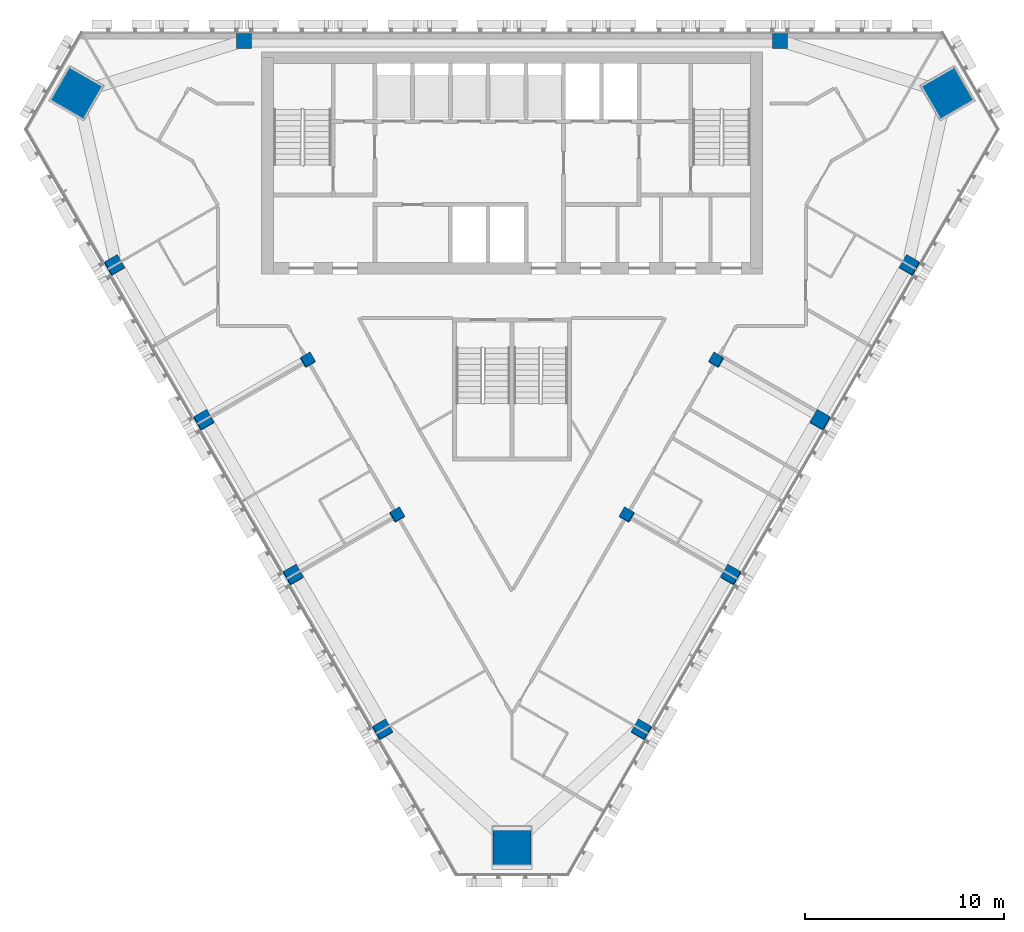
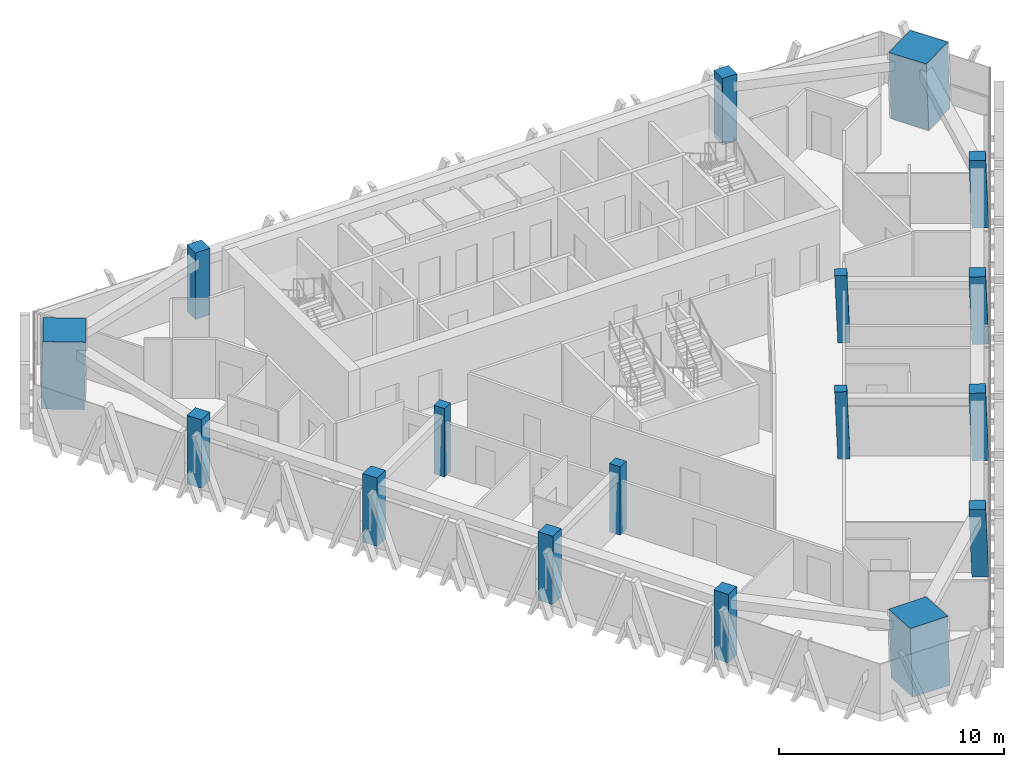
# One storey, part 1 of 14: 17 columns.
"""IFC4 building model written with IfcOpenShell, lengths in metres."""

import ifcopenshell
import ifcopenshell.guid

model = None  # the IFC model being written
_history = None  # IfcOwnerHistory: only IFC2X3 demands one
_inside = {}  # id of a spatial element -> (the spatial element, [elements in it])
_under = {}  # id of a project, library or spatial element -> (it, [spatial elements below it])
_declared = {}  # id of a project -> (the project, [libraries it declares])
_typed = {}  # id of a type object -> (the type object, [elements of that type])
_made_of = {}  # id of a material, layer set ... -> (it, [elements and type objects made of it])


def new_model(schema):
    """Start an empty IFC model of exactly this schema.

    Asked for "IFC4X3", IfcOpenShell would pick the latest addendum, in which some entities
    have other attributes; the version numbers below select the first issue.
    IFC2X3 requires an IfcOwnerHistory on every rooted entity: one is made here for all.
    """
    global model, _history
    if schema == "IFC4X3":
        model = ifcopenshell.file(schema_version=(4, 3, 0, 0))
    else:
        model = ifcopenshell.file(schema=schema)
    _inside.clear()
    _under.clear()
    _declared.clear()
    _typed.clear()
    _made_of.clear()
    _history = None
    if model.schema == "IFC2X3":
        org = make("IfcOrganization", Name="unknown")
        user = make(
            "IfcPersonAndOrganization",
            ThePerson=make("IfcPerson", FamilyName="unknown"),
            TheOrganization=org,
        )
        app = make(
            "IfcApplication",
            ApplicationDeveloper=org,
            Version="unknown",
            ApplicationFullName="unknown",
            ApplicationIdentifier="unknown",
        )
        _history = make(
            "IfcOwnerHistory",
            OwningUser=user,
            OwningApplication=app,
            ChangeAction="ADDED",
            CreationDate=0,
        )
    return model


def make(cls, **values):
    """One entity of the class cls with the attributes given. An attribute that is None is left unset."""
    return model.create_entity(
        cls, **{name: value for name, value in values.items() if value is not None}
    )


def rooted(cls, **values):
    """An entity with a GlobalId (a new one), such as an element, a storey or a relation."""
    return make(cls, GlobalId=ifcopenshell.guid.new(), OwnerHistory=_history, **values)


def si_unit(unit_type, name, prefix=None):
    """IfcSIUnit, for example si_unit("LENGTHUNIT", "METRE", prefix="MILLI")."""
    return make("IfcSIUnit", UnitType=unit_type, Prefix=prefix, Name=name)


def assignment(units):
    """IfcUnitAssignment: the units of a project."""
    return None if units is None else make("IfcUnitAssignment", Units=units)


def point(xyz):
    """IfcCartesianPoint."""
    return None if xyz is None else make("IfcCartesianPoint", Coordinates=xyz)


def direction(xyz):
    """IfcDirection."""
    return None if xyz is None else make("IfcDirection", DirectionRatios=xyz)


def frame(location, z_axis=None, x_axis=None):
    """IfcAxis2Placement3D, a coordinate frame: its origin and axes. An axis left out is left unset."""
    return make(
        "IfcAxis2Placement3D",
        Location=point(location),
        Axis=direction(z_axis),
        RefDirection=direction(x_axis),
    )


def frame_2d(location, x_axis=None):
    """IfcAxis2Placement2D, a coordinate frame in the plane: its origin and x axis."""
    return make(
        "IfcAxis2Placement2D", Location=point(location), RefDirection=direction(x_axis)
    )


def origin():
    """The frame at (0, 0, 0) with its axes left unset."""
    return frame((0.0, 0.0, 0.0))


def origin_2d():
    """The frame at (0, 0) in the plane with its x axis left unset."""
    return frame_2d((0.0, 0.0))


def place(relative_to, where):
    """IfcLocalPlacement: puts the frame where relative to a parent placement (None: the world)."""
    return make(
        "IfcLocalPlacement", PlacementRelTo=relative_to, RelativePlacement=where
    )


def context(
    kind, dimensions, precision=None, world=None, true_north=None, identifier=None
):
    """IfcGeometricRepresentationContext, for example the 3D "Model" context."""
    return make(
        "IfcGeometricRepresentationContext",
        ContextIdentifier=identifier,
        ContextType=kind,
        CoordinateSpaceDimension=dimensions,
        Precision=precision,
        WorldCoordinateSystem=world,
        TrueNorth=true_north,
    )


def subcontext(parent, identifier, kind, view, scale=None):
    """IfcGeometricRepresentationSubContext, for example "Body" below "Model"."""
    return make(
        "IfcGeometricRepresentationSubContext",
        ContextIdentifier=identifier,
        ContextType=kind,
        ParentContext=parent,
        TargetScale=scale,
        TargetView=view,
    )


def project(units=None, contexts=None):
    """IfcProject with its units and contexts."""
    return rooted(
        "IfcProject",
        Name="project",
        RepresentationContexts=contexts,
        UnitsInContext=assignment(units),
    )


def spatial(cls, under=None, at=None, **own):
    """A site, building, storey or space (cls), placed at a placement, below another one or the project."""
    s = rooted(cls, ObjectPlacement=at, **own)
    if under is not None:
        _under.setdefault(under.id(), (under, []))[1].append(s)
    return s


def profile(cls, at=None, kind="AREA", **sizes):
    """A parametric profile (cls). Its sizes go by their IFC names, for example OverallWidth=200.0."""
    return make(cls, ProfileType=kind, Position=at, **sizes)


def rectangle(**sizes):
    """IfcRectangleProfileDef."""
    return profile("IfcRectangleProfileDef", **sizes)


def extrude(swept, where, along, depth):
    """IfcExtrudedAreaSolid: the profile swept, set in the frame where, extruded along a direction by depth."""
    return make(
        "IfcExtrudedAreaSolid",
        SweptArea=swept,
        Position=where,
        ExtrudedDirection=direction(along),
        Depth=depth,
    )


def shape(context_of_items, identifier, shape_type, items):
    """IfcShapeRepresentation: the items that make up one representation, for example the "Body"."""
    return make(
        "IfcShapeRepresentation",
        ContextOfItems=context_of_items,
        RepresentationIdentifier=identifier,
        RepresentationType=shape_type,
        Items=items,
    )


def material(Name=None, Category=None):
    """IfcMaterial."""
    return make("IfcMaterial", Name=Name, Category=Category)


def material_profile(
    of_material, cross_section, Name=None, Category=None, Priority=None
):
    """IfcMaterialProfile: a cross section and its material."""
    return make(
        "IfcMaterialProfile",
        Name=Name,
        Material=of_material,
        Profile=cross_section,
        Priority=Priority,
        Category=Category,
    )


def profile_set(profiles, Name=None, composite=None):
    """IfcMaterialProfileSet."""
    return make(
        "IfcMaterialProfileSet",
        Name=Name,
        MaterialProfiles=profiles,
        CompositeProfile=composite,
    )


def made_of(thing, what):
    """Note that an element or type object is made of a material, layer set ...; save() writes the relation."""
    if what is not None:
        _made_of.setdefault(what.id(), (what, []))[1].append(thing)
    return thing


def type_object(cls, material=None, **own):
    """A type object (cls), such as IfcWallType, which elements share."""
    return made_of(rooted(cls, **own), material)


def element(
    cls,
    number,
    at=None,
    inside=None,
    cuts=None,
    type_object=None,
    material=None,
    context=None,
    identifier="Body",
    shape_type=None,
    held_by="IfcProductDefinitionShape",
    body=None,
    shapes=None,
    **own,
):
    """One element of the class cls, such as IfcWall. Its Tag is "e" and its number.

    at: its placement. inside: the storey or other place that contains it. cuts: it is an
    opening in that element (IfcRelVoidsElement). A single representation is given by context,
    identifier, shape_type and body (its items); several are given by shapes. held_by: the class
    of the entity that holds the representations. save() writes the other relations.
    """
    e = rooted(cls, Tag="e%d" % number, ObjectPlacement=at, **own)
    if body is not None:
        shapes = [shape(context, identifier, shape_type, body)]
    if shapes is not None:
        e.Representation = make(held_by, Representations=shapes)
    if inside is not None:
        _inside.setdefault(inside.id(), (inside, []))[1].append(e)
    if cuts is not None:
        rooted(
            "IfcRelVoidsElement", RelatingBuildingElement=cuts, RelatedOpeningElement=e
        )
    if type_object is not None:
        _typed.setdefault(type_object.id(), (type_object, []))[1].append(e)
    return made_of(e, material)


def aggregate(whole, parts):
    """IfcRelAggregates: a whole, such as a stair, and the parts it consists of."""
    return rooted("IfcRelAggregates", RelatingObject=whole, RelatedObjects=parts)


def save(model, path):
    """Write the relations noted so far, then the file.

    IfcRelAggregates (storeys below a building ...), IfcRelContainedInSpatialStructure (elements
    in a storey), IfcRelDefinesByType, IfcRelAssociatesMaterial and IfcRelDeclares: one each for
    every whole, place, type object, material and project.
    """
    for whole, parts in _under.values():
        aggregate(whole, parts)
    for where, things in _inside.values():
        rooted(
            "IfcRelContainedInSpatialStructure",
            RelatedElements=things,
            RelatingStructure=where,
        )
    for kind, things in _typed.values():
        rooted("IfcRelDefinesByType", RelatedObjects=things, RelatingType=kind)
    for what, things in _made_of.values():
        rooted("IfcRelAssociatesMaterial", RelatedObjects=things, RelatingMaterial=what)
    for by, libraries in _declared.values():
        rooted("IfcRelDeclares", RelatingContext=by, RelatedDefinitions=libraries)
    model.write(path)


model = new_model("IFC4")

# Units and contexts
model_context = context("Model", 3, precision=1e-05, world=origin(), true_north=direction((0.0, 1.0)))
body_context = subcontext(model_context, "Body", "Model", "MODEL_VIEW")
ifc_project = project(units=[si_unit("LENGTHUNIT", "METRE"), si_unit("AREAUNIT", "SQUARE_METRE"), si_unit("VOLUMEUNIT", "CUBIC_METRE"), si_unit("PLANEANGLEUNIT", "RADIAN"), si_unit("MASSUNIT", "GRAM", prefix="KILO")], contexts=[model_context])

# Site, building, storey
site_placement = place(None, origin())
site = spatial("IfcSite", under=ifc_project, at=site_placement, CompositionType="ELEMENT")
building_placement = place(site_placement, origin())
building = spatial("IfcBuilding", under=site, at=building_placement, Name="Altiplano Prism Tower", CompositionType="ELEMENT")
storey_placement = place(building_placement, frame((0.0, 0.0, 230.199951171875)))
storey = spatial("IfcBuildingStorey", under=building, at=storey_placement, Name="L59", CompositionType="ELEMENT", Elevation=230.199951171875)

# Columns
ifc_material_1 = material(Name="Concrete C60/75", Category="concrete")
ifc_material_profile_1 = material_profile(ifc_material_1, rectangle(XDim=0.550048828125, YDim=0.550048828125, at=origin_2d()), Name="Inner column 550")
ifc_profile_set_1 = profile_set([ifc_material_profile_1], Name="Concrete C60/75")
column_type_1 = type_object("IfcColumnType", Name="Inner column 550", PredefinedType="COLUMN", material=ifc_profile_set_1)
for number, where, z_axis, x_axis, name in (
    (1, (74.707275390625, 88.466552734375, -0.0166015625), (0.022155133694, 0.038483534979, 0.999013597298), (-0.864979662345, -0.500331195764, 0.038456186421), "Inner column I12 L59"),
    (2, (79.207275390625, 80.67236328125, -0.0166015625), (0.022155133694, 0.038483534979, 0.999013597298), (-0.864979662345, -0.500331195764, 0.038456186421), "Inner column I13 L59"),
    (3, (90.792724609375, 80.67236328125, -0.0166015625), (-0.022155133694, 0.038483534979, 0.999013597298), (-0.501317597716, -0.864978446021, 0.022202570559), "Inner column I22 L59"),
    (4, (95.292724609375, 88.466552734375, -0.0166015625), (-0.022155133694, 0.038483534979, 0.999013597298), (-0.501317597716, -0.864978446021, 0.022202570559), "Inner column I23 L59"),
):
    element("IfcColumn", number, at=place(storey_placement, frame(where, z_axis=z_axis, x_axis=x_axis)), inside=storey, type_object=column_type_1, Name=name, PredefinedType="COLUMN", context=body_context, shape_type="SweptSolid", body=[
        extrude(rectangle(XDim=0.550048828125, YDim=0.550048828125, at=origin_2d()), origin(), (0.0, 0.0, 1.0), 3.603515625),
    ])
ifc_material_2 = material(Name="Concrete C70/85", Category="concrete")
ifc_material_profile_2 = material_profile(ifc_material_2, rectangle(XDim=1.919921875, YDim=1.919921875, at=origin_2d()), Name="Mega column infill 2000")
ifc_profile_set_2 = profile_set([ifc_material_profile_2], Name="Concrete C70/85")
column_type_2 = type_object("IfcColumnType", Name="Mega column infill 2000", PredefinedType="COLUMN", material=ifc_profile_set_2)
column_1_placement = place(storey_placement, frame((63.0244140625, 101.901123046875, 0.0), z_axis=(0.028334084323, 0.009218745139, 0.999555998633), x_axis=(-0.865471577165, 0.500561960989, 0.019916634515)))
element("IfcColumn", 5, at=column_1_placement, inside=storey, type_object=column_type_2, Name="Mega column M0 L59", PredefinedType="COLUMN", context=body_context, shape_type="SweptSolid", body=[
    extrude(rectangle(XDim=1.919921875, YDim=1.919921875, at=origin_2d()), origin(), (0.0, 0.0, 1.0), 3.601806640625),
])
column_2_placement = place(storey_placement, frame((85.0, 63.838134765625, 0.0), z_axis=(0.0, 0.058356907999, 0.998295783467), x_axis=(-1.0, 0.0, 0.0)))
element("IfcColumn", 6, at=column_2_placement, inside=storey, type_object=column_type_2, Name="Mega column M1 L59", PredefinedType="COLUMN", context=body_context, shape_type="SweptSolid", body=[
    extrude(rectangle(XDim=1.919921875, YDim=1.919921875, at=origin_2d()), origin(), (0.0, 0.0, 1.0), 3.606201171875),
])
column_3_placement = place(storey_placement, frame((106.9755859375, 101.901123046875, 0.0), z_axis=(-0.028334084323, 0.009218745139, 0.999555998633), x_axis=(0.500158596794, -0.865650184685, 0.022161584062)))
element("IfcColumn", 7, at=column_3_placement, inside=storey, type_object=column_type_2, Name="Mega column M2 L59", PredefinedType="COLUMN", context=body_context, shape_type="SweptSolid", body=[
    extrude(rectangle(XDim=1.919921875, YDim=1.919921875, at=origin_2d()), origin(), (0.0, 0.0, 1.0), 3.601806640625),
])
ifc_material_profile_3 = material_profile(ifc_material_1, rectangle(XDim=0.75, YDim=0.75, at=origin_2d()), Name="Perimeter column 750")
ifc_profile_set_3 = profile_set([ifc_material_profile_3], Name="Concrete C60/75")
column_type_3 = type_object("IfcColumnType", Name="Perimeter column 750", PredefinedType="COLUMN", material=ifc_profile_set_3)
for number, where, z_axis, x_axis, name in (
    (8, (98.5, 104.550048828125, 0.0), (0.0, 0.0, 1.0), (1.0, 0.0, 0.0), "Perimeter column P01 L59"),
    (9, (71.5, 104.550048828125, 0.0), (0.0, 0.0, 1.0), (1.0, 0.0, 0.0), "Perimeter column P04 L59"),
):
    element("IfcColumn", number, at=place(storey_placement, frame(where, z_axis=z_axis, x_axis=x_axis)), inside=storey, type_object=column_type_3, Name=name, PredefinedType="COLUMN", context=body_context, shape_type="SweptSolid", body=[
        extrude(rectangle(XDim=0.75, YDim=0.75, at=origin_2d()), origin(), (0.0, 0.0, 1.0), 3.60009765625),
    ])
for number, where, z_axis, x_axis, name in (
    (10, (64.967529296875, 93.235595703125, -0.022705078125), (0.02222134892, 0.038480872521, 0.999012229206), (-0.865639401317, -0.499186837261, 0.038482832442), "Perimeter column P11 L59"),
    (11, (69.467529296875, 85.44140625, -0.022705078125), (0.022221406801, 0.038413224561, 0.999014831351), (-0.8660213715, -0.498527787681, 0.038432135187), "Perimeter column P12 L59"),
    (12, (73.967529296875, 77.647216796875, -0.022705078125), (0.022221406801, 0.038413224561, 0.999014831351), (-0.8660213715, -0.498527787681, 0.038432135187), "Perimeter column P13 L59"),
    (13, (78.467529296875, 69.85302734375, -0.022705078125), (0.022221406801, 0.038413224561, 0.999014831351), (-0.8660213715, -0.498527787681, 0.038432135187), "Perimeter column P14 L59"),
    (14, (91.532470703125, 69.85302734375, -0.022705078125), (-0.022221406801, 0.038413224561, 0.999014831351), (-0.499512955973, -0.866022210505, 0.022188684646), "Perimeter column P21 L59"),
    (15, (96.032470703125, 77.647216796875, -0.022705078125), (-0.022221406801, 0.038413224561, 0.999014831351), (-0.499512955973, -0.866022210505, 0.022188684646), "Perimeter column P22 L59"),
    (16, (100.532470703125, 85.44140625, -0.022705078125), (-0.022221406801, 0.038413224561, 0.999014831351), (-0.499512955973, -0.866022210505, 0.022188684646), "Perimeter column P23 L59"),
    (17, (105.032470703125, 93.235595703125, -0.022705078125), (-0.02222134892, 0.038480872521, 0.999012229206), (-0.500174608052, -0.865639488445, 0.022217954564), "Perimeter column P24 L59"),
):
    element("IfcColumn", number, at=place(storey_placement, frame(where, z_axis=z_axis, x_axis=x_axis)), inside=storey, type_object=column_type_3, Name=name, PredefinedType="COLUMN", context=body_context, shape_type="SweptSolid", body=[
        extrude(rectangle(XDim=0.75, YDim=0.75, at=origin_2d()), origin(), (0.0, 0.0, 1.0), 3.603759765625),
    ])

save(model, "model.ifc")
